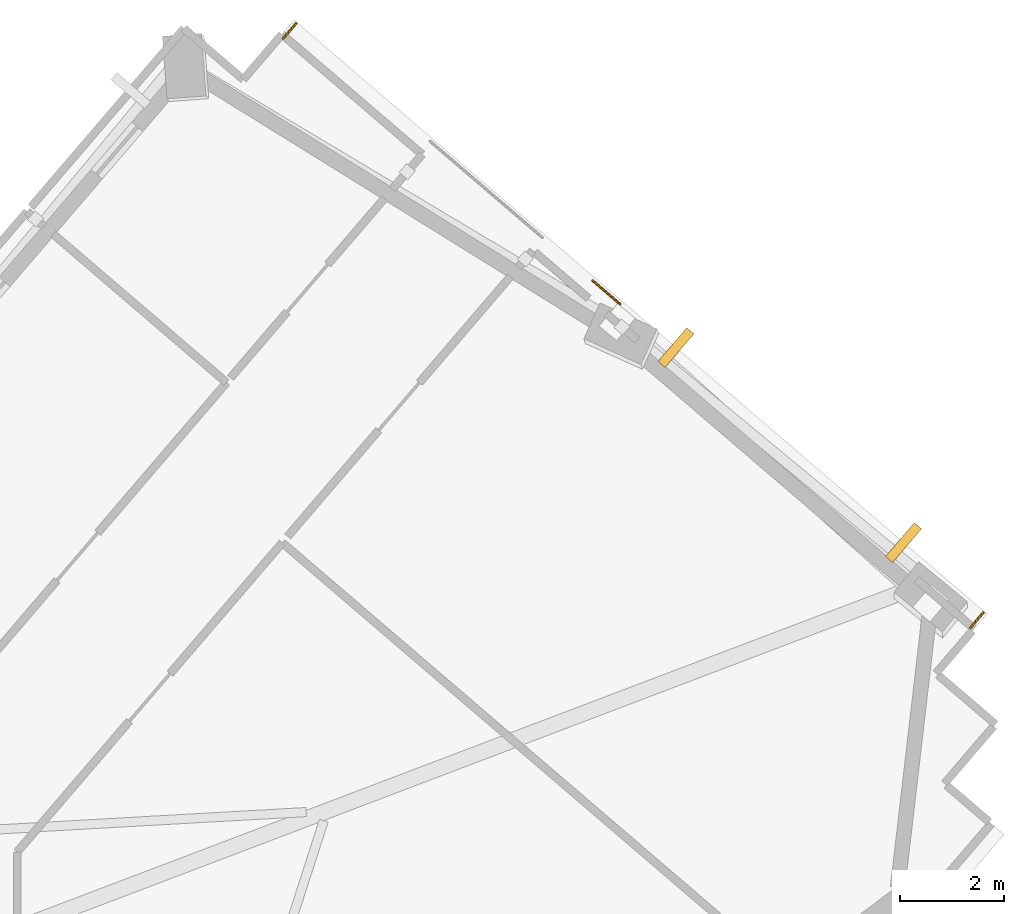
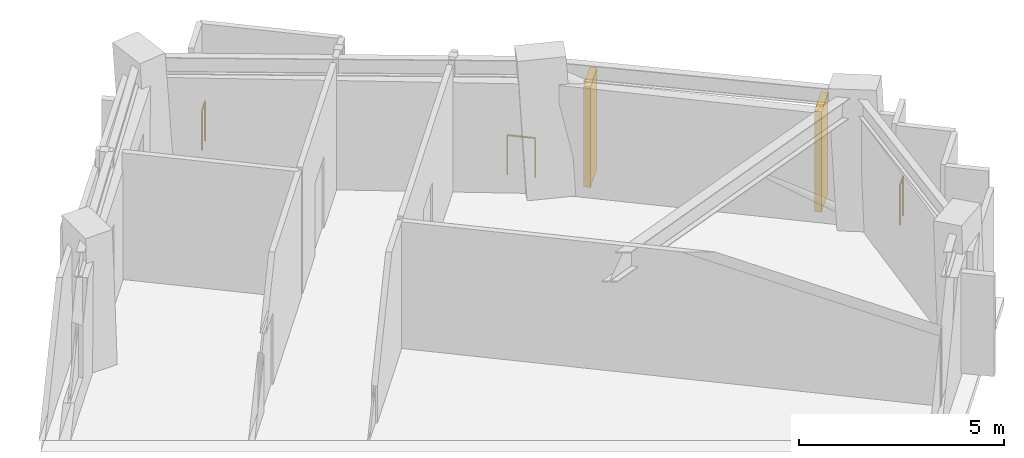
# One storey, part 12 of 12: 3 railings, 2 shading devices.
"""IFC4 building model written with IfcOpenShell, lengths in metres."""

from ifc_helpers import new_model, si_unit, direction, frame, origin, origin_2d, place, context, subcontext, project, spatial, rectangle, circle, extrude, material, layer, layer_set, type_object, element, save


model = new_model("IFC4")

# Units and contexts
model_context = context("Model", 3, precision=1e-05, world=origin(), true_north=direction((0.0, 1.0)))
body_context = subcontext(model_context, "Body", "Model", "MODEL_VIEW")
ifc_project = project(units=[si_unit("LENGTHUNIT", "METRE"), si_unit("AREAUNIT", "SQUARE_METRE"), si_unit("VOLUMEUNIT", "CUBIC_METRE"), si_unit("PLANEANGLEUNIT", "RADIAN"), si_unit("MASSUNIT", "GRAM", prefix="KILO")], contexts=[model_context])

# Site, building, storey
site_placement = place(None, origin())
site = spatial("IfcSite", under=ifc_project, at=site_placement, CompositionType="ELEMENT")
building_placement = place(site_placement, origin())
building = spatial("IfcBuilding", under=site, at=building_placement, Name="Gaonmaruhae Medical Tower", CompositionType="ELEMENT")
storey_placement = place(building_placement, frame((0.0, 0.0, 235.199951171875)))
storey = spatial("IfcBuildingStorey", under=building, at=storey_placement, Name="L56", CompositionType="ELEMENT", Elevation=235.199951171875)

# Railings
ifc_material_1 = material(Name="Stainless steel 316L and laminated safety glass", Category="steel")
ifc_layer = layer(ifc_material_1, 0.080078125)
ifc_layer_set = layer_set([ifc_layer], Name="Stainless steel 316L and laminated safety glass")
railing_type = type_object("IfcRailingType", Name="GD-120 Outdoor Terrace Safety Glass & Steel Balustrade", PredefinedType="BALUSTRADE", material=ifc_layer_set)
railing_1_placement = place(storey_placement, frame((46.32373046875, 36.00341796875, 0.0)))
element("IfcRailing", 1, at=railing_1_placement, inside=storey, type_object=railing_type, Name="L56 Perimeter Slab Edge Safety Balustrade 01", PredefinedType="BALUSTRADE", context=body_context, shape_type="SweptSolid", body=[
    extrude(circle(Radius=0.02392578125, at=origin_2d()), frame((0.0, 0.0, 1.17578125), z_axis=(0.650689103886, 0.75934425005, 0.0), x_axis=(-0.75934425005, 0.650689103886, 0.0)), (0.0, 0.0, 1.0), 0.393310546875),
    extrude(circle(Radius=0.02099609375, at=origin_2d()), origin(), (0.0, 0.0, 1.0), 1.15185546875),
    extrude(circle(Radius=0.02099609375, at=origin_2d()), frame((0.255859375, 0.298583984375, 0.0)), (0.0, 0.0, 1.0), 1.15185546875),
])
railing_2_placement = place(storey_placement, frame((52.263427734375, 31.364501953125, 0.0)))
element("IfcRailing", 2, at=railing_2_placement, inside=storey, type_object=railing_type, Name="L56 Perimeter Slab Edge Safety Balustrade 03", PredefinedType="BALUSTRADE", context=body_context, shape_type="SweptSolid", body=[
    extrude(circle(Radius=0.02392578125, at=origin_2d()), frame((0.0, 0.0, 1.17578125), z_axis=(0.759405210311, -0.650617957447, 0.0), x_axis=(0.650617957447, 0.759405210311, 0.0)), (0.0, 0.0, 1.0), 0.69580078125),
    extrude(circle(Radius=0.02099609375, at=origin_2d()), origin(), (0.0, 0.0, 1.0), 1.15185546875),
    extrude(circle(Radius=0.02099609375, at=origin_2d()), frame((0.5283203125, -0.45263671875, 0.0)), (0.0, 0.0, 1.0), 1.15185546875),
])
railing_3_placement = place(storey_placement, frame((59.7607421875, 25.00439453125, 0.0)))
element("IfcRailing", 3, at=railing_3_placement, inside=storey, type_object=railing_type, Name="L56 Perimeter Slab Edge Safety Balustrade 04", PredefinedType="BALUSTRADE", context=body_context, shape_type="SweptSolid", body=[
    extrude(circle(Radius=0.02392578125, at=origin_2d()), frame((0.0, 0.0, 1.17578125), z_axis=(-0.650689103886, -0.75934425005, 0.0), x_axis=(0.75934425005, -0.650689103886, 0.0)), (0.0, 0.0, 1.0), 0.393310546875),
    extrude(circle(Radius=0.02099609375, at=origin_2d()), origin(), (0.0, 0.0, 1.0), 1.15185546875),
    extrude(circle(Radius=0.02099609375, at=origin_2d()), frame((-0.255859375, -0.298583984375, 0.0)), (0.0, 0.0, 1.0), 1.15185546875),
])

# Shading devices
ifc_material_2 = material(Name="Pigmented coral precast concrete C45/55", Category="concrete")
shading_device_type = type_object("IfcShadingDeviceType", Name="SD-FIN1 Tower Vertical Coral Precast Shading Fin", PredefinedType="USERDEFINED", material=ifc_material_2)
for number, where, z_axis, x_axis, name in (
    (4, (53.862060546875, 30.080078125, 0.132568359375), (0.0, 0.0, 1.0), (0.759271307335, -0.650774217266, 0.0), "L56 Vertical Coral Precast Shading Fin E01"),
    (5, (58.22509765625, 26.34033203125, 0.132568359375), (0.0, 0.0, 1.0), (0.759271307335, -0.650774217266, 0.0), "L56 Vertical Coral Precast Shading Fin E01B"),
):
    element("IfcShadingDevice", number, at=place(storey_placement, frame(where, z_axis=z_axis, x_axis=x_axis)), inside=storey, type_object=shading_device_type, Name=name, ObjectType="FIN", PredefinedType="USERDEFINED", context=body_context, shape_type="SweptSolid", body=[
        extrude(rectangle(XDim=0.179931640625, YDim=0.85009765625, at=origin_2d()), origin(), (0.0, 0.0, 1.0), 3.0),
    ])

save(model, "model.ifc")
